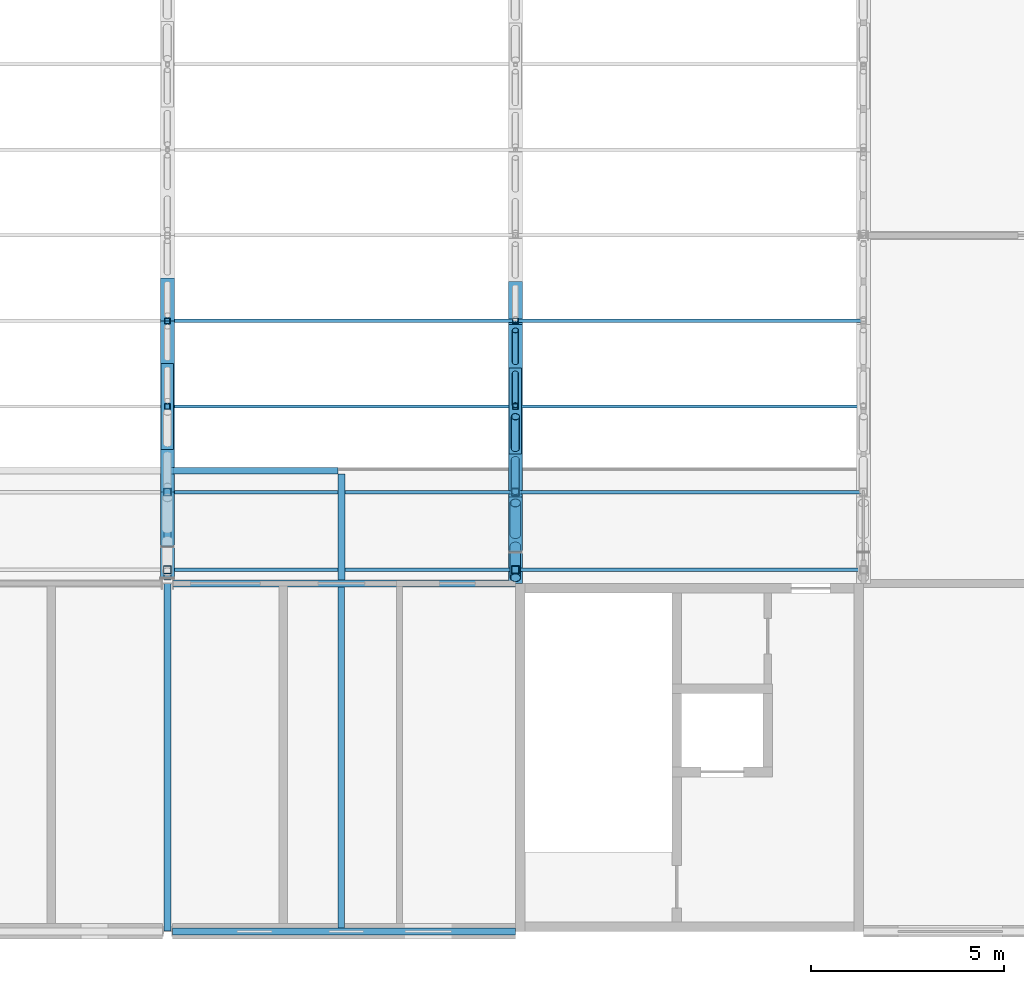
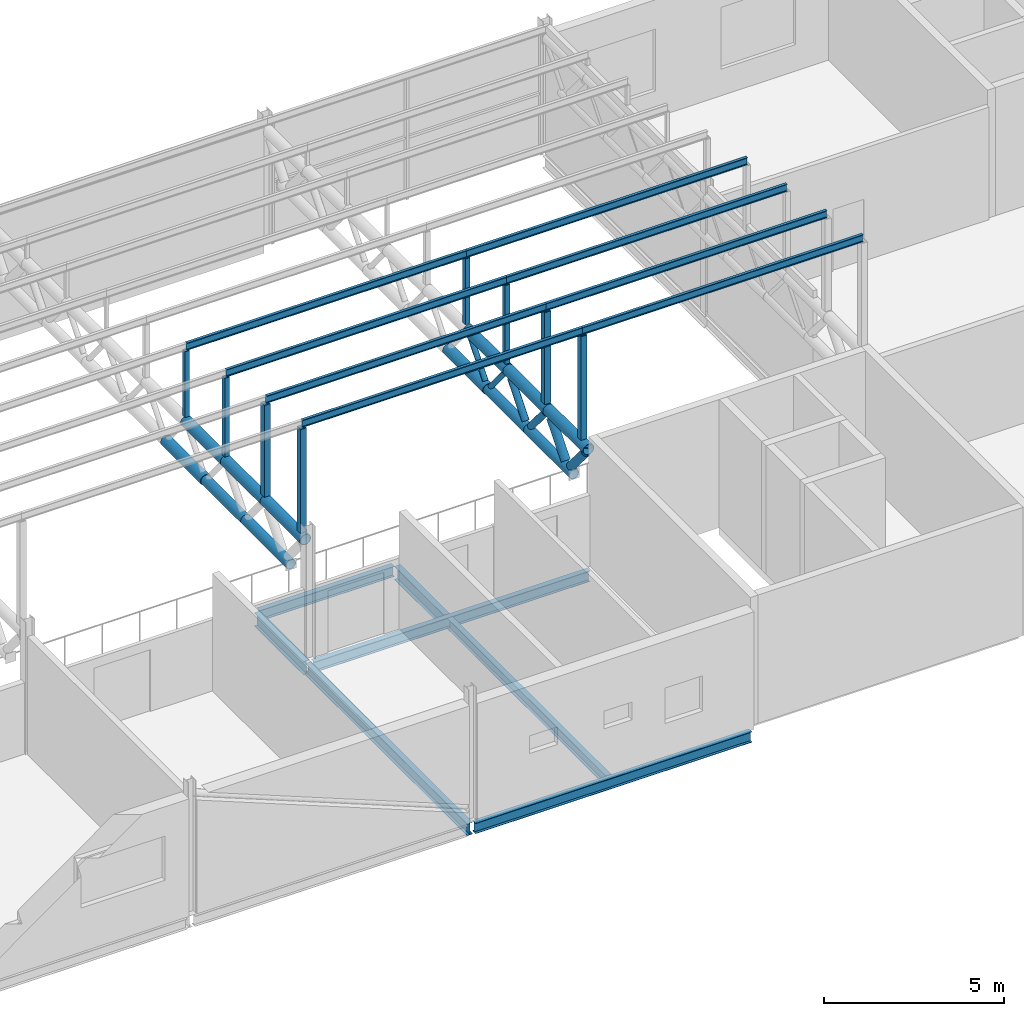
# One storey, part 74 of 138: 34 members, 7 beams.
"""IFC4 building model written with IfcOpenShell, lengths in metres."""

from ifc_helpers import new_model, si_unit, direction, frame, origin, origin_2d, place, context, subcontext, project, spatial, hollow_rectangle, hollow_circle, i_section, extrude, material, material_profile, profile_set, type_object, element, save


model = new_model("IFC4")

# Units and contexts
model_context = context("Model", 3, precision=1e-05, world=origin(), true_north=direction((0.0, 1.0)))
body_context = subcontext(model_context, "Body", "Model", "MODEL_VIEW")
ifc_project = project(units=[si_unit("LENGTHUNIT", "METRE"), si_unit("AREAUNIT", "SQUARE_METRE"), si_unit("VOLUMEUNIT", "CUBIC_METRE"), si_unit("PLANEANGLEUNIT", "RADIAN"), si_unit("MASSUNIT", "GRAM", prefix="KILO")], contexts=[model_context])

# Site, building, storey
site_placement = place(None, origin())
site = spatial("IfcSite", under=ifc_project, at=site_placement, CompositionType="ELEMENT")
building_placement = place(site_placement, origin())
building = spatial("IfcBuilding", under=site, at=building_placement, Name="Corbel Yard City Hall", CompositionType="ELEMENT")
storey_placement = place(building_placement, frame((0.0, 0.0, 10.5)))
storey = spatial("IfcBuildingStorey", under=building, at=storey_placement, Name="L02", CompositionType="ELEMENT", Elevation=10.5)

# Beams
ifc_material_1 = material(Name="Steel Grade 300 (300 MPa yield)", Category="steel")
ifc_material_profile_1 = material_profile(ifc_material_1, i_section(OverallWidth=0.177978515625, OverallDepth=0.403076171875, WebThickness=0.007568359375, FlangeThickness=0.010986328125, at=origin_2d()), Name="410UB53.7")
ifc_profile_set_1 = profile_set([ifc_material_profile_1], Name="Steel Grade 300 (300 MPa yield)")
beam_type_1 = type_object("IfcBeamType", Name="Beam 410UB53.7", PredefinedType="BEAM", material=ifc_profile_set_1)
beam_1_placement = place(storey_placement, frame((144.0, 0.00537109375, -0.3515625), z_axis=(0.0, 1.0, 0.0), x_axis=(-1.0, 0.0, 0.0)))
element("IfcBeam", 1, at=beam_1_placement, inside=storey, type_object=beam_type_1, Name="Beam 410UB53.7 SB6 L02floor", PredefinedType="BEAM", context=body_context, shape_type="SweptSolid", body=[
    extrude(i_section(OverallWidth=0.177978515625, OverallDepth=0.403076171875, WebThickness=0.007568359375, FlangeThickness=0.010986328125, at=origin_2d()), origin(), (0.0, 0.0, 1.0), 8.98876953125),
])
ifc_material_profile_2 = material_profile(ifc_material_1, i_section(OverallWidth=0.172119140625, OverallDepth=0.35888671875, WebThickness=0.008056640625, FlangeThickness=0.012939453125, at=origin_2d()), Name="360UB56.7")
ifc_profile_set_2 = profile_set([ifc_material_profile_2], Name="Steel Grade 300 (300 MPa yield)")
beam_type_2 = type_object("IfcBeamType", Name="Edge beam 360UB56.7", PredefinedType="BEAM", material=ifc_profile_set_2)
beam_2_placement = place(storey_placement, frame((144.1298828125, 0.0, -0.32958984375), z_axis=(1.0, 0.0, 0.0), x_axis=(0.0, 1.0, 0.0)))
element("IfcBeam", 2, at=beam_2_placement, inside=storey, type_object=beam_type_2, Name="Edge beam 360UB56.7 EB4 L02floor", PredefinedType="BEAM", context=body_context, shape_type="SweptSolid", body=[
    extrude(i_section(OverallWidth=0.172119140625, OverallDepth=0.35888671875, WebThickness=0.008056640625, FlangeThickness=0.012939453125, at=origin_2d()), origin(), (0.0, 0.0, 1.0), 8.8701171875),
])
beam_3_placement = place(storey_placement, frame((144.157470703125, 9.0, -0.32958984375), z_axis=(1.0, 0.0, 0.0), x_axis=(0.0, 1.0, 0.0)))
element("IfcBeam", 3, at=beam_3_placement, inside=storey, type_object=beam_type_2, Name="Edge beam 360UB56.7 EB4 L02floor", PredefinedType="BEAM", context=body_context, shape_type="SweptSolid", body=[
    extrude(i_section(OverallWidth=0.172119140625, OverallDepth=0.35888671875, WebThickness=0.008056640625, FlangeThickness=0.012939453125, at=origin_2d()), origin(), (0.0, 0.0, 1.0), 8.842529296875),
])
ifc_material_profile_3 = material_profile(ifc_material_1, i_section(OverallWidth=0.18994140625, OverallDepth=0.4541015625, WebThickness=0.008544921875, FlangeThickness=0.0126953125, at=origin_2d()), Name="460UB67.1")
ifc_profile_set_3 = profile_set([ifc_material_profile_3], Name="Steel Grade 300 (300 MPa yield)")
beam_type_3 = type_object("IfcBeamType", Name="Gallery bracket 460UB67.1", PredefinedType="BEAM", material=ifc_profile_set_3)
for number, where, z_axis, x_axis, name in (
    (4, (144.0, 9.0859375, -0.376953125), (0.0, 1.0, 0.0), (-1.0, 0.0, 0.0), "Gallery bracket 460UB67.1 CB2 L02"),
    (5, (148.5, 9.0859375, -0.376953125), (0.0, 1.0, 0.0), (-1.0, 0.0, 0.0), "Gallery bracket 460UB67.1 CB2 L02"),
):
    element("IfcBeam", number, at=place(storey_placement, frame(where, z_axis=z_axis, x_axis=x_axis)), inside=storey, type_object=beam_type_3, Name=name, PredefinedType="BEAM", context=body_context, shape_type="SweptSolid", body=[
        extrude(i_section(OverallWidth=0.18994140625, OverallDepth=0.4541015625, WebThickness=0.008544921875, FlangeThickness=0.0126953125, at=origin_2d()), origin(), (0.0, 0.0, 1.0), 2.7431640625),
    ])
ifc_material_profile_4 = material_profile(ifc_material_1, i_section(OverallWidth=0.1708984375, OverallDepth=0.35205078125, WebThickness=0.0068359375, FlangeThickness=0.009765625, at=origin_2d()), Name="360UB44.7")
ifc_profile_set_4 = profile_set([ifc_material_profile_4], Name="Steel Grade 300 (300 MPa yield)")
beam_type_4 = type_object("IfcBeamType", Name="Gallery edge beam 360UB44.7", PredefinedType="BEAM", material=ifc_profile_set_4)
beam_4_placement = place(storey_placement, frame((144.094970703125, 11.91455078125, -0.325927734375), z_axis=(1.0, 0.0, 0.0), x_axis=(0.0, 1.0, 0.0)))
element("IfcBeam", 6, at=beam_4_placement, inside=storey, type_object=beam_type_4, Name="Gallery edge beam 360UB44.7 EB13 L02", PredefinedType="BEAM", context=body_context, shape_type="SweptSolid", body=[
    extrude(i_section(OverallWidth=0.1708984375, OverallDepth=0.35205078125, WebThickness=0.0068359375, FlangeThickness=0.009765625, at=origin_2d()), origin(), (0.0, 0.0, 1.0), 4.31005859375),
])

# Members
ifc_material_2 = material(Name="Steel Grade C350L0", Category="steel")
ifc_material_profile_5 = material_profile(ifc_material_2, hollow_circle(Radius=0.161865234375, WallThickness=0.0126953125, at=origin_2d()), Name="323.9x12.7CHS")
ifc_profile_set_5 = profile_set([ifc_material_profile_5], Name="Steel Grade C350L0")
member_type_1 = type_object("IfcMemberType", Name="Hall roof truss bottom chord 323.9x12.7CHS", PredefinedType="CHORD", material=ifc_profile_set_5)
member_1_placement = place(storey_placement, frame((144.0, 9.95849609375, 2.59228515625), z_axis=(0.0, 1.0, 0.0), x_axis=(-1.0, 0.0, 0.0)))
element("IfcMember", 7, at=member_1_placement, inside=storey, type_object=member_type_1, Name="Hall roof truss bottom chord 323.9x12.7CHS TC2", PredefinedType="CHORD", context=body_context, shape_type="SweptSolid", body=[
    extrude(hollow_circle(Radius=0.161865234375, WallThickness=0.0126953125, at=origin_2d()), origin(), (0.0, 0.0, 1.0), 2.51171875),
])
member_2_placement = place(storey_placement, frame((144.0, 12.47021484375, 2.59228515625), z_axis=(0.0, 1.0, 0.0), x_axis=(-1.0, 0.0, 0.0)))
element("IfcMember", 8, at=member_2_placement, inside=storey, type_object=member_type_1, Name="Hall roof truss bottom chord 323.9x12.7CHS TC2", PredefinedType="CHORD", context=body_context, shape_type="SweptSolid", body=[
    extrude(hollow_circle(Radius=0.161865234375, WallThickness=0.0126953125, at=origin_2d()), origin(), (0.0, 0.0, 1.0), 2.2119140625),
])
member_3_placement = place(storey_placement, frame((153.0, 9.8154296875, 2.59228515625), z_axis=(0.0, 1.0, 0.0), x_axis=(-1.0, 0.0, 0.0)))
element("IfcMember", 9, at=member_3_placement, inside=storey, type_object=member_type_1, Name="Hall roof truss bottom chord 323.9x12.7CHS TC2", PredefinedType="CHORD", context=body_context, shape_type="SweptSolid", body=[
    extrude(hollow_circle(Radius=0.161865234375, WallThickness=0.0126953125, at=origin_2d()), origin(), (0.0, 0.0, 1.0), 2.531005859375),
])
member_4_placement = place(storey_placement, frame((153.0, 12.346435546875, 2.59228515625), z_axis=(0.0, 1.0, 0.0), x_axis=(-1.0, 0.0, 0.0)))
element("IfcMember", 10, at=member_4_placement, inside=storey, type_object=member_type_1, Name="Hall roof truss bottom chord 323.9x12.7CHS TC2", PredefinedType="CHORD", context=body_context, shape_type="SweptSolid", body=[
    extrude(hollow_circle(Radius=0.161865234375, WallThickness=0.0126953125, at=origin_2d()), origin(), (0.0, 0.0, 1.0), 2.23095703125),
])
ifc_material_profile_6 = material_profile(ifc_material_2, hollow_circle(Radius=0.177734375, WallThickness=0.0126953125, at=origin_2d()), Name="355.6x12.7CHS")
ifc_profile_set_6 = profile_set([ifc_material_profile_6], Name="Steel Grade C350L0")
member_type_2 = type_object("IfcMemberType", Name="Hall roof truss bottom chord 355.6x12.7CHS", PredefinedType="CHORD", material=ifc_profile_set_6)
member_5_placement = place(storey_placement, frame((144.0, 14.68212890625, 2.59228515625), z_axis=(0.0, 1.0, 0.0), x_axis=(-1.0, 0.0, 0.0)))
element("IfcMember", 11, at=member_5_placement, inside=storey, type_object=member_type_2, Name="Hall roof truss bottom chord 355.6x12.7CHS TC3", PredefinedType="CHORD", context=body_context, shape_type="SweptSolid", body=[
    extrude(hollow_circle(Radius=0.177734375, WallThickness=0.0126953125, at=origin_2d()), origin(), (0.0, 0.0, 1.0), 2.2119140625),
])
member_6_placement = place(storey_placement, frame((153.0, 14.577392578125, 2.59228515625), z_axis=(0.0, 1.0, 0.0), x_axis=(-1.0, 0.0, 0.0)))
element("IfcMember", 12, at=member_6_placement, inside=storey, type_object=member_type_2, Name="Hall roof truss bottom chord 355.6x12.7CHS TC3", PredefinedType="CHORD", context=body_context, shape_type="SweptSolid", body=[
    extrude(hollow_circle(Radius=0.177734375, WallThickness=0.0126953125, at=origin_2d()), origin(), (0.0, 0.0, 1.0), 2.23095703125),
])
ifc_material_profile_7 = material_profile(ifc_material_2, hollow_circle(Radius=0.084228515625, WallThickness=0.007080078125, at=origin_2d()), Name="168.3x7.1CHS")
ifc_profile_set_7 = profile_set([ifc_material_profile_7], Name="Steel Grade C350L0")
member_type_3 = type_object("IfcMemberType", Name="Hall roof truss diagonal 168.3x7.1CHS", PredefinedType="STRUT", material=ifc_profile_set_7)
for number, where, z_axis, x_axis, name in (
    (13, (153.0, 13.611083984375, 3.744384765625), (0.0, 0.64257954038, -0.766218985855), (-1.0, 0.0, 0.0), "Hall roof truss diagonal 168.3x7.1CHS TD3"),
    (14, (153.0, 14.7265625, 2.77001953125), (0.0, 0.64257954038, 0.766218985855), (-1.0, 0.0, 0.0), "Hall roof truss diagonal 168.3x7.1CHS TD3"),
):
    element("IfcMember", number, at=place(storey_placement, frame(where, z_axis=z_axis, x_axis=x_axis)), inside=storey, type_object=member_type_3, Name=name, PredefinedType="STRUT", context=body_context, shape_type="SweptSolid", body=[
        extrude(hollow_circle(Radius=0.084228515625, WallThickness=0.007080078125, at=origin_2d()), origin(), (0.0, 0.0, 1.0), 1.271728515625),
    ])
ifc_material_profile_8 = material_profile(ifc_material_2, hollow_circle(Radius=0.109619140625, WallThickness=0.00830078125, at=origin_2d()), Name="219.1x8.2CHS")
ifc_profile_set_8 = profile_set([ifc_material_profile_8], Name="Steel Grade C350L0")
member_type_4 = type_object("IfcMemberType", Name="Hall roof truss diagonal 219.1x8.2CHS", PredefinedType="STRUT", material=ifc_profile_set_8)
for number, where, z_axis, x_axis, name in (
    (15, (153.0, 11.380126953125, 3.744384765625), (0.0, 0.64257954038, -0.766218985855), (-1.0, 0.0, 0.0), "Hall roof truss diagonal 219.1x8.2CHS TD2"),
    (16, (153.0, 12.49560546875, 2.77001953125), (0.0, 0.64257954038, 0.766218985855), (-1.0, 0.0, 0.0), "Hall roof truss diagonal 219.1x8.2CHS TD2"),
):
    element("IfcMember", number, at=place(storey_placement, frame(where, z_axis=z_axis, x_axis=x_axis)), inside=storey, type_object=member_type_4, Name=name, PredefinedType="STRUT", context=body_context, shape_type="SweptSolid", body=[
        extrude(hollow_circle(Radius=0.109619140625, WallThickness=0.00830078125, at=origin_2d()), origin(), (0.0, 0.0, 1.0), 1.271728515625),
    ])
ifc_material_profile_9 = material_profile(ifc_material_2, hollow_circle(Radius=0.136474609375, WallThickness=0.00927734375, at=origin_2d()), Name="273.1x9.3CHS")
ifc_profile_set_9 = profile_set([ifc_material_profile_9], Name="Steel Grade C350L0")
member_type_5 = type_object("IfcMemberType", Name="Hall roof truss diagonal 273.1x9.3CHS", PredefinedType="STRUT", material=ifc_profile_set_9)
for number, where, z_axis, x_axis, name in (
    (17, (153.0, 9.149169921875, 3.744384765625), (0.0, 0.64257954038, -0.766218985855), (-1.0, 0.0, 0.0), "Hall roof truss diagonal 273.1x9.3CHS TD1"),
    (18, (153.0, 10.2646484375, 2.77001953125), (0.0, 0.64257954038, 0.766218985855), (-1.0, 0.0, 0.0), "Hall roof truss diagonal 273.1x9.3CHS TD1"),
):
    element("IfcMember", number, at=place(storey_placement, frame(where, z_axis=z_axis, x_axis=x_axis)), inside=storey, type_object=member_type_5, Name=name, PredefinedType="STRUT", context=body_context, shape_type="SweptSolid", body=[
        extrude(hollow_circle(Radius=0.136474609375, WallThickness=0.00927734375, at=origin_2d()), origin(), (0.0, 0.0, 1.0), 1.271728515625),
    ])
ifc_material_profile_10 = material_profile(ifc_material_2, hollow_circle(Radius=0.177734375, WallThickness=0.0126953125, at=origin_2d()), Name="355.6x12.7CHS")
ifc_profile_set_10 = profile_set([ifc_material_profile_10], Name="Steel Grade C350L0")
member_type_6 = type_object("IfcMemberType", Name="Hall roof truss top chord 355.6x12.7CHS", PredefinedType="CHORD", material=ifc_profile_set_10)
member_7_placement = place(storey_placement, frame((144.0, 9.152587890625, 3.922119140625), z_axis=(0.0, 1.0, 0.0), x_axis=(-1.0, 0.0, 0.0)))
element("IfcMember", 19, at=member_7_placement, inside=storey, type_object=member_type_6, Name="Hall roof truss top chord 355.6x12.7CHS TC1", PredefinedType="CHORD", context=body_context, shape_type="SweptSolid", body=[
    extrude(hollow_circle(Radius=0.177734375, WallThickness=0.0126953125, at=origin_2d()), origin(), (0.0, 0.0, 1.0), 2.211669921875),
])
for number, where, z_axis, x_axis, name in (
    (20, (144.0, 11.3642578125, 3.922119140625), (0.0, 1.0, 0.0), (-1.0, 0.0, 0.0), "Hall roof truss top chord 355.6x12.7CHS TC1"),
    (21, (144.0, 13.576171875, 3.922119140625), (0.0, 1.0, 0.0), (-1.0, 0.0, 0.0), "Hall roof truss top chord 355.6x12.7CHS TC1"),
):
    element("IfcMember", number, at=place(storey_placement, frame(where, z_axis=z_axis, x_axis=x_axis)), inside=storey, type_object=member_type_6, Name=name, PredefinedType="CHORD", context=body_context, shape_type="SweptSolid", body=[
        extrude(hollow_circle(Radius=0.177734375, WallThickness=0.0126953125, at=origin_2d()), origin(), (0.0, 0.0, 1.0), 2.2119140625),
    ])
for number, where, z_axis, x_axis, name in (
    (22, (153.0, 9.0, 3.922119140625), (0.0, 1.0, 0.0), (-1.0, 0.0, 0.0), "Hall roof truss top chord 355.6x12.7CHS TC1"),
    (23, (153.0, 11.23095703125, 3.922119140625), (0.0, 1.0, 0.0), (-1.0, 0.0, 0.0), "Hall roof truss top chord 355.6x12.7CHS TC1"),
    (24, (153.0, 13.4619140625, 3.922119140625), (0.0, 1.0, 0.0), (-1.0, 0.0, 0.0), "Hall roof truss top chord 355.6x12.7CHS TC1"),
):
    element("IfcMember", number, at=place(storey_placement, frame(where, z_axis=z_axis, x_axis=x_axis)), inside=storey, type_object=member_type_6, Name=name, PredefinedType="CHORD", context=body_context, shape_type="SweptSolid", body=[
        extrude(hollow_circle(Radius=0.177734375, WallThickness=0.0126953125, at=origin_2d()), origin(), (0.0, 0.0, 1.0), 2.23095703125),
    ])
ifc_material_profile_11 = material_profile(ifc_material_1, i_section(OverallWidth=0.090087890625, OverallDepth=0.25, WebThickness=0.008056640625, FlangeThickness=0.014892578125, at=origin_2d()), Name="250PFC")
ifc_profile_set_11 = profile_set([ifc_material_profile_11], Name="Steel Grade 300 (300 MPa yield)")
member_type_7 = type_object("IfcMemberType", Name="Purlin 250PFC", PredefinedType="PURLIN", material=ifc_profile_set_11)
for number, where, z_axis, x_axis, name in (
    (25, (144.0, 9.3525390625, 7.74560546875), (1.0, 0.0, 0.0), (0.0, 1.0, 0.0), "Purlin 250PFC PU1"),
    (26, (144.0, 11.3642578125, 7.343017578125), (1.0, 0.0, 0.0), (0.0, 1.0, 0.0), "Purlin 250PFC PU1"),
    (27, (144.0, 13.576171875, 6.900634765625), (1.0, 0.0, 0.0), (0.0, 1.0, 0.0), "Purlin 250PFC PU1"),
    (28, (144.0, 15.7880859375, 6.45849609375), (1.0, 0.0, 0.0), (0.0, 1.0, 0.0), "Purlin 250PFC PU1"),
    (29, (153.0, 9.3525390625, 7.74560546875), (1.0, 0.0, 0.0), (0.0, 1.0, 0.0), "Purlin 250PFC PU1"),
    (30, (153.0, 11.3642578125, 7.343017578125), (1.0, 0.0, 0.0), (0.0, 1.0, 0.0), "Purlin 250PFC PU1"),
    (31, (153.0, 13.576171875, 6.900634765625), (1.0, 0.0, 0.0), (0.0, 1.0, 0.0), "Purlin 250PFC PU1"),
    (32, (153.0, 15.7880859375, 6.45849609375), (1.0, 0.0, 0.0), (0.0, 1.0, 0.0), "Purlin 250PFC PU1"),
):
    element("IfcMember", number, at=place(storey_placement, frame(where, z_axis=z_axis, x_axis=x_axis)), inside=storey, type_object=member_type_7, Name=name, PredefinedType="PURLIN", context=body_context, shape_type="SweptSolid", body=[
        extrude(i_section(OverallWidth=0.090087890625, OverallDepth=0.25, WebThickness=0.008056640625, FlangeThickness=0.014892578125, at=origin_2d()), origin(), (0.0, 0.0, 1.0), 9.0),
    ])
ifc_material_3 = material(Name="Steel Grade C450L0", Category="steel")
ifc_material_profile_12 = material_profile(ifc_material_3, hollow_rectangle(XDim=0.14990234375, YDim=0.14990234375, WallThickness=0.009033203125, at=origin_2d()), Name="150x150x9.0SHS")
ifc_profile_set_12 = profile_set([ifc_material_profile_12], Name="Steel Grade C450L0")
member_type_8 = type_object("IfcMemberType", Name="Roof post 150x150x9.0SHS", PredefinedType="POST", material=ifc_profile_set_12)
member_8_placement = place(storey_placement, frame((144.0, 13.576171875, 4.10009765625), z_axis=(0.0, 0.0, 1.0), x_axis=(1.0, 0.0, 0.0)))
element("IfcMember", 33, at=member_8_placement, inside=storey, type_object=member_type_8, Name="Roof post 150x150x9.0SHS RP2", PredefinedType="POST", context=body_context, shape_type="SweptSolid", body=[
    extrude(hollow_rectangle(XDim=0.14990234375, YDim=0.14990234375, WallThickness=0.009033203125, at=origin_2d()), origin(), (0.0, 0.0, 1.0), 2.675537109375),
])
member_9_placement = place(storey_placement, frame((144.0, 15.7880859375, 4.10009765625), z_axis=(0.0, 0.0, 1.0), x_axis=(1.0, 0.0, 0.0)))
element("IfcMember", 34, at=member_9_placement, inside=storey, type_object=member_type_8, Name="Roof post 150x150x9.0SHS RP2", PredefinedType="POST", context=body_context, shape_type="SweptSolid", body=[
    extrude(hollow_rectangle(XDim=0.14990234375, YDim=0.14990234375, WallThickness=0.009033203125, at=origin_2d()), origin(), (0.0, 0.0, 1.0), 2.2333984375),
])
member_10_placement = place(storey_placement, frame((153.0, 13.576171875, 4.10009765625), z_axis=(0.0, 0.0, 1.0), x_axis=(1.0, 0.0, 0.0)))
element("IfcMember", 35, at=member_10_placement, inside=storey, type_object=member_type_8, Name="Roof post 150x150x9.0SHS RP2", PredefinedType="POST", context=body_context, shape_type="SweptSolid", body=[
    extrude(hollow_rectangle(XDim=0.14990234375, YDim=0.14990234375, WallThickness=0.009033203125, at=origin_2d()), origin(), (0.0, 0.0, 1.0), 2.675537109375),
])
member_11_placement = place(storey_placement, frame((153.0, 15.7880859375, 4.10009765625), z_axis=(0.0, 0.0, 1.0), x_axis=(1.0, 0.0, 0.0)))
element("IfcMember", 36, at=member_11_placement, inside=storey, type_object=member_type_8, Name="Roof post 150x150x9.0SHS RP2", PredefinedType="POST", context=body_context, shape_type="SweptSolid", body=[
    extrude(hollow_rectangle(XDim=0.14990234375, YDim=0.14990234375, WallThickness=0.009033203125, at=origin_2d()), origin(), (0.0, 0.0, 1.0), 2.2333984375),
])
ifc_material_profile_13 = material_profile(ifc_material_3, hollow_rectangle(XDim=0.199951171875, YDim=0.199951171875, WallThickness=0.009033203125, at=origin_2d()), Name="200x200x9.0SHS")
ifc_profile_set_13 = profile_set([ifc_material_profile_13], Name="Steel Grade C450L0")
member_type_9 = type_object("IfcMemberType", Name="Roof post 200x200x9.0SHS", PredefinedType="POST", material=ifc_profile_set_13)
member_12_placement = place(storey_placement, frame((144.0, 9.3525390625, 4.10009765625), z_axis=(0.0, 0.0, 1.0), x_axis=(1.0, 0.0, 0.0)))
element("IfcMember", 37, at=member_12_placement, inside=storey, type_object=member_type_9, Name="Roof post 200x200x9.0SHS RP1", PredefinedType="POST", context=body_context, shape_type="SweptSolid", body=[
    extrude(hollow_rectangle(XDim=0.199951171875, YDim=0.199951171875, WallThickness=0.009033203125, at=origin_2d()), origin(), (0.0, 0.0, 1.0), 3.5205078125),
])
member_13_placement = place(storey_placement, frame((144.0, 11.3642578125, 4.10009765625), z_axis=(0.0, 0.0, 1.0), x_axis=(1.0, 0.0, 0.0)))
element("IfcMember", 38, at=member_13_placement, inside=storey, type_object=member_type_9, Name="Roof post 200x200x9.0SHS RP1", PredefinedType="POST", context=body_context, shape_type="SweptSolid", body=[
    extrude(hollow_rectangle(XDim=0.199951171875, YDim=0.199951171875, WallThickness=0.009033203125, at=origin_2d()), origin(), (0.0, 0.0, 1.0), 3.117919921875),
])
member_14_placement = place(storey_placement, frame((153.0, 9.3525390625, 4.10009765625), z_axis=(0.0, 0.0, 1.0), x_axis=(1.0, 0.0, 0.0)))
element("IfcMember", 39, at=member_14_placement, inside=storey, type_object=member_type_9, Name="Roof post 200x200x9.0SHS RP1", PredefinedType="POST", context=body_context, shape_type="SweptSolid", body=[
    extrude(hollow_rectangle(XDim=0.199951171875, YDim=0.199951171875, WallThickness=0.009033203125, at=origin_2d()), origin(), (0.0, 0.0, 1.0), 3.5205078125),
])
member_15_placement = place(storey_placement, frame((153.0, 11.3642578125, 4.10009765625), z_axis=(0.0, 0.0, 1.0), x_axis=(1.0, 0.0, 0.0)))
element("IfcMember", 40, at=member_15_placement, inside=storey, type_object=member_type_9, Name="Roof post 200x200x9.0SHS RP1", PredefinedType="POST", context=body_context, shape_type="SweptSolid", body=[
    extrude(hollow_rectangle(XDim=0.199951171875, YDim=0.199951171875, WallThickness=0.009033203125, at=origin_2d()), origin(), (0.0, 0.0, 1.0), 3.117919921875),
])

# Beam
ifc_material_profile_14 = material_profile(ifc_material_1, i_section(OverallWidth=0.1708984375, OverallDepth=0.35595703125, WebThickness=0.00732421875, FlangeThickness=0.011474609375, at=origin_2d()), Name="360UB50.7")
ifc_profile_set_14 = profile_set([ifc_material_profile_14], Name="Steel Grade 300 (300 MPa yield)")
beam_type_5 = type_object("IfcBeamType", Name="Secondary beam 360UB50.7", PredefinedType="JOIST", material=ifc_profile_set_14)
beam_5_placement = place(storey_placement, frame((148.5, 0.0859375, -0.327880859375), z_axis=(0.0, 1.0, 0.0), x_axis=(-1.0, 0.0, 0.0)))
element("IfcBeam", 41, at=beam_5_placement, inside=storey, type_object=beam_type_5, Name="Secondary beam 360UB50.7 SB10 L02floor", PredefinedType="JOIST", context=body_context, shape_type="SweptSolid", body=[
    extrude(i_section(OverallWidth=0.1708984375, OverallDepth=0.35595703125, WebThickness=0.00732421875, FlangeThickness=0.011474609375, at=origin_2d()), origin(), (0.0, 0.0, 1.0), 8.828125),
])

save(model, "model.ifc")
